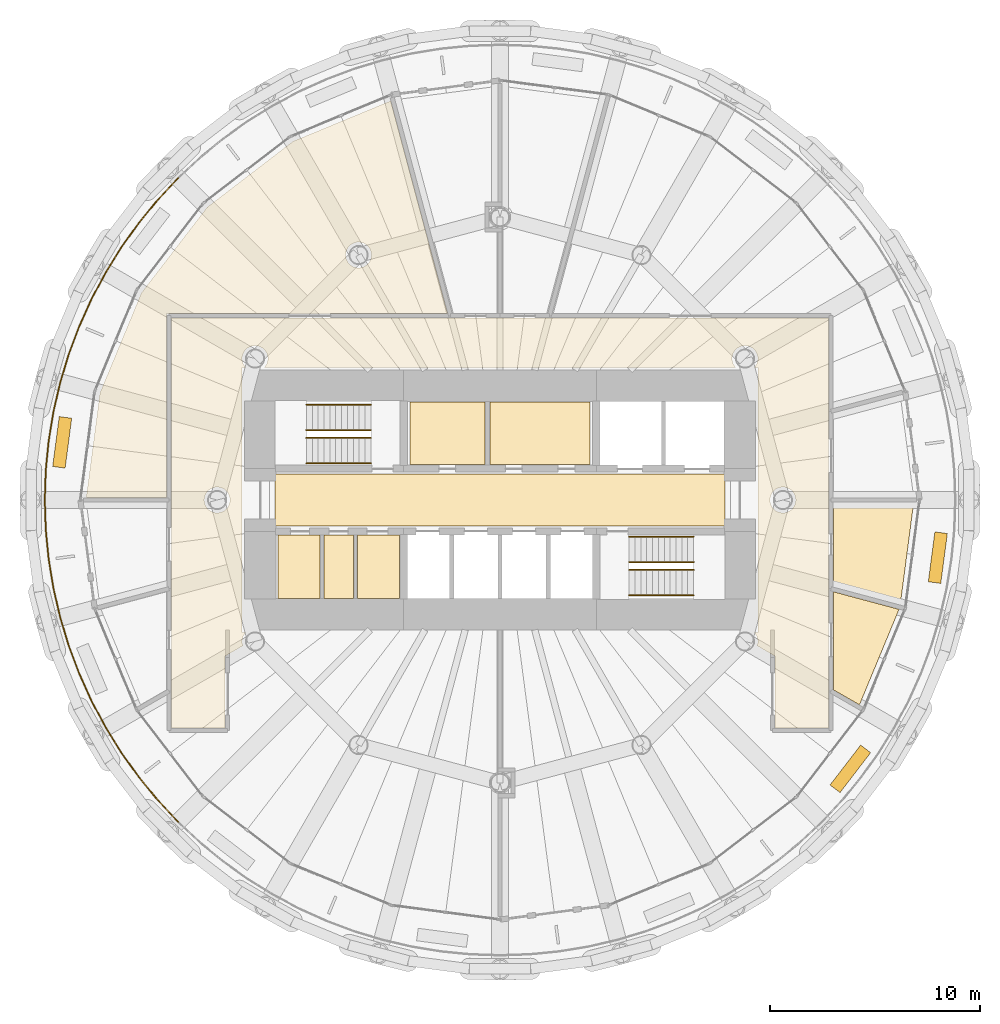
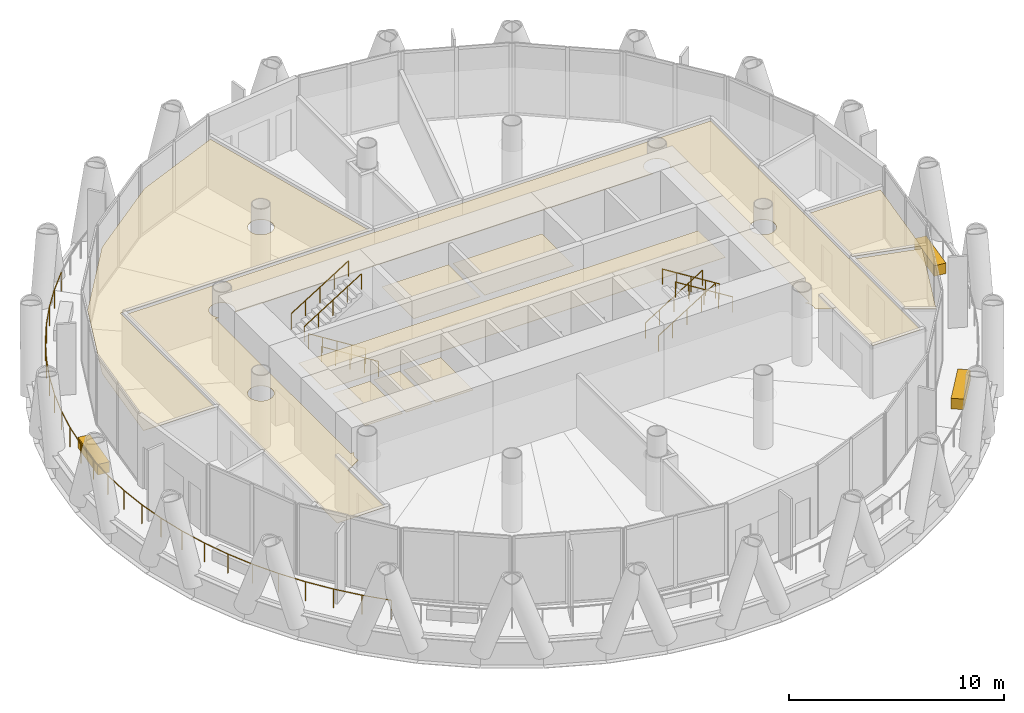
# One storey, part 13 of 14: 13 coverings, 9 railings.
"""IFC4 building model written with IfcOpenShell, lengths in metres."""

from ifc_helpers import new_model, si_unit, direction, frame, origin, origin_2d, place, context, subcontext, project, spatial, polyline, rectangle, circle, outline, extrude, material, layer, layer_set, type_object, element, save


model = new_model("IFC4")

# Units and contexts
model_context = context("Model", 3, precision=1e-05, world=origin(), true_north=direction((0.0, 1.0)))
body_context = subcontext(model_context, "Body", "Model", "MODEL_VIEW")
ifc_project = project(units=[si_unit("LENGTHUNIT", "METRE"), si_unit("AREAUNIT", "SQUARE_METRE"), si_unit("VOLUMEUNIT", "CUBIC_METRE"), si_unit("PLANEANGLEUNIT", "RADIAN"), si_unit("MASSUNIT", "GRAM", prefix="KILO")], contexts=[model_context])

# Site, building, storey
site_placement = place(None, origin())
site = spatial("IfcSite", under=ifc_project, at=site_placement, CompositionType="ELEMENT")
building_placement = place(site_placement, origin())
building = spatial("IfcBuilding", under=site, at=building_placement, Name="Qaws Media Tower", CompositionType="ELEMENT")
storey_placement = place(building_placement, frame((0.0, 0.0, 240.199951171875)))
storey = spatial("IfcBuildingStorey", under=building, at=storey_placement, Name="L55", CompositionType="ELEMENT", Elevation=240.199951171875)

# Railing
ifc_material_1 = material(Name="Stainless steel and glass guard", Category="steel")
railing_type_1 = type_object("IfcRailingType", Name="Balcony guard 1100", PredefinedType="GUARDRAIL", material=ifc_material_1)
railing_placement = place(storey_placement, frame((44.63818359375, 65.36181640625, 0.0)))
element("IfcRailing", 1, at=railing_placement, inside=storey, type_object=railing_type_1, Name="GR1 balcony guard L55-2", PredefinedType="GUARDRAIL", context=body_context, shape_type="SweptSolid", body=[
    extrude(circle(Radius=0.02392578125, at=origin_2d()), frame((0.0, 0.0, 1.076171875), z_axis=(-0.683632607459, -0.729826320448, 0.0), x_axis=(0.729826320448, -0.683632607459, 0.0)), (0.0, 0.0, 1.0), 1.421630859375),
    extrude(circle(Radius=0.02392578125, at=origin_2d()), frame((-0.971923828125, -1.03759765625, 1.076171875), z_axis=(-0.634406087473, -0.772999945781, 0.0), x_axis=(0.772999945781, -0.634406087473, 0.0)), (0.0, 0.0, 1.0), 1.421630859375),
    extrude(circle(Radius=0.02392578125, at=origin_2d()), frame((-1.873779296875, -2.136474609375, 1.076171875), z_axis=(-0.58252083242, -0.81281577236, 0.0), x_axis=(0.81281577236, -0.58252083242, 0.0)), (0.0, 0.0, 1.0), 1.421630859375),
    extrude(circle(Radius=0.02392578125, at=origin_2d()), frame((-2.701904296875, -3.2919921875, 1.076171875), z_axis=(-0.528068023715, -0.849202073908, 0.0), x_axis=(0.849202073908, -0.528068023715, 0.0)), (0.0, 0.0, 1.0), 1.421630859375),
    extrude(circle(Radius=0.02392578125, at=origin_2d()), frame((-3.45263671875, -4.499267578125, 1.076171875), z_axis=(-0.471363454354, -0.881939053393, 0.0), x_axis=(0.881939053393, -0.471363454354, 0.0)), (0.0, 0.0, 1.0), 1.421875),
    extrude(circle(Radius=0.02392578125, at=origin_2d()), frame((-4.122802734375, -5.753173828125, 1.076171875), z_axis=(-0.412676946479, -0.9108774549, 0.0), x_axis=(0.9108774549, -0.412676946479, 0.0)), (0.0, 0.0, 1.0), 1.421630859375),
    extrude(circle(Radius=0.02392578125, at=origin_2d()), frame((-4.70947265625, -7.048095703125, 1.076171875), z_axis=(-0.352214736284, -0.935919216356, 0.0), x_axis=(0.935919216356, -0.352214736284, 0.0)), (0.0, 0.0, 1.0), 1.421630859375),
    extrude(circle(Radius=0.02392578125, at=origin_2d()), frame((-5.210205078125, -8.378662109375, 1.076171875), z_axis=(-0.290245717658, -0.956952153131, 0.0), x_axis=(0.956952153131, -0.290245717658, 0.0)), (0.0, 0.0, 1.0), 1.421630859375),
    extrude(circle(Radius=0.02392578125, at=origin_2d()), frame((-5.622802734375, -9.739013671875, 1.076171875), z_axis=(-0.227191615264, -0.973850075707, 0.0), x_axis=(0.973850075707, -0.227191615264, 0.0)), (0.0, 0.0, 1.0), 1.421630859375),
    extrude(circle(Radius=0.02392578125, at=origin_2d()), frame((-5.94580078125, -11.12353515625, 1.076171875), z_axis=(-0.162811322241, -0.98665722181, 0.0), x_axis=(0.98665722181, -0.162811322241, 0.0)), (0.0, 0.0, 1.0), 1.421630859375),
    extrude(circle(Radius=0.02392578125, at=origin_2d()), frame((-6.17724609375, -12.526123046875, 1.076171875), z_axis=(-0.098058353865, -0.995180666632, 0.0), x_axis=(0.995180666632, -0.098058353865, 0.0)), (0.0, 0.0, 1.0), 1.421630859375),
    extrude(circle(Radius=0.02392578125, at=origin_2d()), frame((-6.316650390625, -13.94091796875, 1.076171875), z_axis=(-0.03280021105, -0.999461928317, 0.0), x_axis=(0.999461928317, -0.03280021105, 0.0)), (0.0, 0.0, 1.0), 1.421630859375),
    extrude(circle(Radius=0.02392578125, at=origin_2d()), frame((-6.36328125, -15.36181640625, 1.076171875), z_axis=(0.03280021105, -0.999461928317, 0.0), x_axis=(0.999461928317, 0.03280021105, 0.0)), (0.0, 0.0, 1.0), 1.421630859375),
    extrude(circle(Radius=0.02392578125, at=origin_2d()), frame((-6.316650390625, -16.78271484375, 1.076171875), z_axis=(0.098058353865, -0.995180666632, 0.0), x_axis=(0.995180666632, 0.098058353865, 0.0)), (0.0, 0.0, 1.0), 1.421630859375),
    extrude(circle(Radius=0.02392578125, at=origin_2d()), frame((-6.17724609375, -18.197509765625, 1.076171875), z_axis=(0.162811322241, -0.98665722181, 0.0), x_axis=(0.98665722181, 0.162811322241, 0.0)), (0.0, 0.0, 1.0), 1.421630859375),
    extrude(circle(Radius=0.02392578125, at=origin_2d()), frame((-5.94580078125, -19.60009765625, 1.076171875), z_axis=(0.227191615264, -0.973850075707, 0.0), x_axis=(0.973850075707, 0.227191615264, 0.0)), (0.0, 0.0, 1.0), 1.421630859375),
    extrude(circle(Radius=0.02392578125, at=origin_2d()), frame((-5.622802734375, -20.984619140625, 1.076171875), z_axis=(0.290245717658, -0.956952153131, 0.0), x_axis=(0.956952153131, 0.290245717658, 0.0)), (0.0, 0.0, 1.0), 1.421630859375),
    extrude(circle(Radius=0.02392578125, at=origin_2d()), frame((-5.210205078125, -22.344970703125, 1.076171875), z_axis=(0.352214736284, -0.935919216356, 0.0), x_axis=(0.935919216356, 0.352214736284, 0.0)), (0.0, 0.0, 1.0), 1.421630859375),
    extrude(circle(Radius=0.02392578125, at=origin_2d()), frame((-4.70947265625, -23.675537109375, 1.076171875), z_axis=(0.412676946479, -0.9108774549, 0.0), x_axis=(0.9108774549, 0.412676946479, 0.0)), (0.0, 0.0, 1.0), 1.421630859375),
    extrude(circle(Radius=0.02392578125, at=origin_2d()), frame((-4.122802734375, -24.970458984375, 1.076171875), z_axis=(0.471363454354, -0.881939053393, 0.0), x_axis=(0.881939053393, 0.471363454354, 0.0)), (0.0, 0.0, 1.0), 1.421875),
    extrude(circle(Radius=0.02392578125, at=origin_2d()), frame((-3.45263671875, -26.224365234375, 1.076171875), z_axis=(0.528068023715, -0.849202073908, 0.0), x_axis=(0.849202073908, 0.528068023715, 0.0)), (0.0, 0.0, 1.0), 1.421630859375),
    extrude(circle(Radius=0.02392578125, at=origin_2d()), frame((-2.701904296875, -27.431640625, 1.076171875), z_axis=(0.58252083242, -0.81281577236, 0.0), x_axis=(0.81281577236, 0.58252083242, 0.0)), (0.0, 0.0, 1.0), 1.421630859375),
    extrude(circle(Radius=0.02392578125, at=origin_2d()), frame((-1.873779296875, -28.587158203125, 1.076171875), z_axis=(0.634406087473, -0.772999945781, 0.0), x_axis=(0.772999945781, 0.634406087473, 0.0)), (0.0, 0.0, 1.0), 1.421630859375),
    extrude(circle(Radius=0.02392578125, at=origin_2d()), frame((-0.971923828125, -29.68603515625, 1.076171875), z_axis=(0.683632607459, -0.729826320448, 0.0), x_axis=(0.729826320448, 0.683632607459, 0.0)), (0.0, 0.0, 1.0), 1.421630859375),
    extrude(circle(Radius=0.02099609375, at=origin_2d()), origin(), (0.0, 0.0, 1.0), 1.052001953125),
    extrude(circle(Radius=0.02099609375, at=origin_2d()), frame((-0.971923828125, -1.03759765625, 0.0)), (0.0, 0.0, 1.0), 1.052001953125),
    extrude(circle(Radius=0.02099609375, at=origin_2d()), frame((-1.873779296875, -2.136474609375, 0.0)), (0.0, 0.0, 1.0), 1.052001953125),
    extrude(circle(Radius=0.02099609375, at=origin_2d()), frame((-2.701904296875, -3.2919921875, 0.0)), (0.0, 0.0, 1.0), 1.052001953125),
    extrude(circle(Radius=0.02099609375, at=origin_2d()), frame((-3.45263671875, -4.499267578125, 0.0)), (0.0, 0.0, 1.0), 1.052001953125),
    extrude(circle(Radius=0.02099609375, at=origin_2d()), frame((-4.122802734375, -5.753173828125, 0.0)), (0.0, 0.0, 1.0), 1.052001953125),
    extrude(circle(Radius=0.02099609375, at=origin_2d()), frame((-4.70947265625, -7.048095703125, 0.0)), (0.0, 0.0, 1.0), 1.052001953125),
    extrude(circle(Radius=0.02099609375, at=origin_2d()), frame((-5.210205078125, -8.378662109375, 0.0)), (0.0, 0.0, 1.0), 1.052001953125),
    extrude(circle(Radius=0.02099609375, at=origin_2d()), frame((-5.622802734375, -9.739013671875, 0.0)), (0.0, 0.0, 1.0), 1.052001953125),
    extrude(circle(Radius=0.02099609375, at=origin_2d()), frame((-5.94580078125, -11.12353515625, 0.0)), (0.0, 0.0, 1.0), 1.052001953125),
    extrude(circle(Radius=0.02099609375, at=origin_2d()), frame((-6.17724609375, -12.526123046875, 0.0)), (0.0, 0.0, 1.0), 1.052001953125),
    extrude(circle(Radius=0.02099609375, at=origin_2d()), frame((-6.316650390625, -13.94091796875, 0.0)), (0.0, 0.0, 1.0), 1.052001953125),
    extrude(circle(Radius=0.02099609375, at=origin_2d()), frame((-6.36328125, -15.36181640625, 0.0)), (0.0, 0.0, 1.0), 1.052001953125),
    extrude(circle(Radius=0.02099609375, at=origin_2d()), frame((-6.316650390625, -16.78271484375, 0.0)), (0.0, 0.0, 1.0), 1.052001953125),
    extrude(circle(Radius=0.02099609375, at=origin_2d()), frame((-6.17724609375, -18.197509765625, 0.0)), (0.0, 0.0, 1.0), 1.052001953125),
    extrude(circle(Radius=0.02099609375, at=origin_2d()), frame((-5.94580078125, -19.60009765625, 0.0)), (0.0, 0.0, 1.0), 1.052001953125),
    extrude(circle(Radius=0.02099609375, at=origin_2d()), frame((-5.622802734375, -20.984619140625, 0.0)), (0.0, 0.0, 1.0), 1.052001953125),
    extrude(circle(Radius=0.02099609375, at=origin_2d()), frame((-5.210205078125, -22.344970703125, 0.0)), (0.0, 0.0, 1.0), 1.052001953125),
    extrude(circle(Radius=0.02099609375, at=origin_2d()), frame((-4.70947265625, -23.675537109375, 0.0)), (0.0, 0.0, 1.0), 1.052001953125),
    extrude(circle(Radius=0.02099609375, at=origin_2d()), frame((-4.122802734375, -24.970458984375, 0.0)), (0.0, 0.0, 1.0), 1.052001953125),
    extrude(circle(Radius=0.02099609375, at=origin_2d()), frame((-3.45263671875, -26.224365234375, 0.0)), (0.0, 0.0, 1.0), 1.052001953125),
    extrude(circle(Radius=0.02099609375, at=origin_2d()), frame((-2.701904296875, -27.431640625, 0.0)), (0.0, 0.0, 1.0), 1.052001953125),
    extrude(circle(Radius=0.02099609375, at=origin_2d()), frame((-1.873779296875, -28.587158203125, 0.0)), (0.0, 0.0, 1.0), 1.052001953125),
    extrude(circle(Radius=0.02099609375, at=origin_2d()), frame((-0.971923828125, -29.68603515625, 0.0)), (0.0, 0.0, 1.0), 1.052001953125),
    extrude(circle(Radius=0.02099609375, at=origin_2d()), frame((0.0, -30.7236328125, 0.0)), (0.0, 0.0, 1.0), 1.052001953125),
])

# Coverings
ifc_material_2 = material(Name="600 x 600 mineral fibre tiles in exposed grid, suspended", Category="mineral fibre")
ifc_layer_1 = layer(ifc_material_2, 0.02001953125)
ifc_layer_set_1 = layer_set([ifc_layer_1], Name="Mineral fibre tile ceiling 20")
covering_type_1 = type_object("IfcCoveringType", Name="Mineral fibre tile ceiling 20", PredefinedType="CEILING", material=ifc_layer_set_1)
covering_1_placement = place(storey_placement, frame((0.0, 0.0, 2.85009765625)))
element("IfcCovering", 2, at=covering_1_placement, inside=storey, type_object=covering_type_1, Name="CL1 ceiling L55-C07 Gents toilets", PredefinedType="CEILING", context=body_context, shape_type="SweptSolid", body=[
    extrude(outline(polyline([(55.695068359375, 51.695068359375), (55.695068359375, 54.679931640625), (59.276611328125, 54.679931640625), (59.276611328125, 51.695068359375), (55.695068359375, 51.695068359375)])), origin(), (0.0, 0.0, 1.0), 0.02001953125),
])
covering_2_placement = place(storey_placement, frame((0.0, 0.0, 2.85009765625)))
element("IfcCovering", 3, at=covering_2_placement, inside=storey, type_object=covering_type_1, Name="CL1 ceiling L55-C08 Ladies toilets", PredefinedType="CEILING", context=body_context, shape_type="SweptSolid", body=[
    extrude(outline(polyline([(59.5166015625, 51.695068359375), (59.5166015625, 54.679931640625), (64.304931640625, 54.679931640625), (64.304931640625, 51.695068359375), (59.5166015625, 51.695068359375)])), origin(), (0.0, 0.0, 1.0), 0.02001953125),
])
covering_3_placement = place(storey_placement, frame((0.0, 0.0, 2.85009765625)))
element("IfcCovering", 4, at=covering_3_placement, inside=storey, type_object=covering_type_1, Name="CL1 ceiling L55-01 Corridor", PredefinedType="CEILING", context=body_context, shape_type="SweptSolid", body=[
    extrude(outline(polyline([(44.3125, 39.112548828125), (44.3125, 58.6875), (75.6875, 58.6875), (75.6875, 39.112548828125), (73.112548828125, 39.112548828125), (73.112548828125, 42.559326171875), (72.27197265625, 43.044921875), (72.287353515625, 43.09033203125), (72.302978515625, 43.16943359375), (72.308349609375, 43.25), (72.302978515625, 43.33056640625), (72.287353515625, 43.40966796875), (72.261474609375, 43.486083984375), (72.2255859375, 43.55859375), (72.180908203125, 43.62548828125), (72.126220703125, 43.6875), (72.3125, 43.6875), (72.3125, 56.3125), (72.126220703125, 56.3125), (72.180908203125, 56.37451171875), (72.2255859375, 56.44140625), (72.261474609375, 56.513916015625), (72.287353515625, 56.59033203125), (72.302978515625, 56.66943359375), (72.308349609375, 56.75), (72.302978515625, 56.83056640625), (72.287353515625, 56.90966796875), (72.261474609375, 56.986083984375), (72.2255859375, 57.05859375), (72.180908203125, 57.12548828125), (72.127685546875, 57.186279296875), (72.06689453125, 57.239501953125), (71.999755859375, 57.2841796875), (71.927490234375, 57.320068359375), (71.85107421875, 57.345947265625), (71.77197265625, 57.36181640625), (71.69140625, 57.366943359375), (71.61083984375, 57.36181640625), (71.53173828125, 57.345947265625), (71.455078125, 57.320068359375), (71.3828125, 57.2841796875), (71.315673828125, 57.239501953125), (71.255126953125, 57.186279296875), (71.201904296875, 57.12548828125), (71.156982421875, 57.05859375), (71.121337890625, 56.986083984375), (71.095458984375, 56.90966796875), (71.07958984375, 56.83056640625), (71.07421875, 56.75), (71.07958984375, 56.66943359375), (71.095458984375, 56.59033203125), (71.121337890625, 56.513916015625), (71.156982421875, 56.44140625), (71.201904296875, 56.37451171875), (71.25634765625, 56.3125), (48.74365234375, 56.3125), (48.798095703125, 56.37451171875), (48.843017578125, 56.44140625), (48.878662109375, 56.513916015625), (48.904541015625, 56.59033203125), (48.92041015625, 56.66943359375), (48.92578125, 56.75), (48.92041015625, 56.83056640625), (48.904541015625, 56.90966796875), (48.878662109375, 56.986083984375), (48.843017578125, 57.05859375), (48.798095703125, 57.12548828125), (48.744873046875, 57.186279296875), (48.684326171875, 57.239501953125), (48.6171875, 57.2841796875), (48.544921875, 57.320068359375), (48.46826171875, 57.345947265625), (48.38916015625, 57.36181640625), (48.30859375, 57.366943359375), (48.22802734375, 57.36181640625), (48.14892578125, 57.345947265625), (48.072509765625, 57.320068359375), (48.000244140625, 57.2841796875), (47.93310546875, 57.239501953125), (47.872314453125, 57.186279296875), (47.819091796875, 57.12548828125), (47.7744140625, 57.05859375), (47.738525390625, 56.986083984375), (47.712646484375, 56.90966796875), (47.697021484375, 56.83056640625), (47.691650390625, 56.75), (47.697021484375, 56.66943359375), (47.712646484375, 56.59033203125), (47.738525390625, 56.513916015625), (47.7744140625, 56.44140625), (47.819091796875, 56.37451171875), (47.873779296875, 56.3125), (47.6875, 56.3125), (47.6875, 43.6875), (47.873779296875, 43.6875), (47.819091796875, 43.62548828125), (47.7744140625, 43.55859375), (47.738525390625, 43.486083984375), (47.712646484375, 43.40966796875), (47.697021484375, 43.33056640625), (47.691650390625, 43.25), (47.697021484375, 43.16943359375), (47.712646484375, 43.09033203125), (47.72802734375, 43.044921875), (46.887451171875, 42.559326171875), (46.887451171875, 39.112548828125), (44.3125, 39.112548828125)]), holes=[polyline([(47.070068359375, 49.763916015625), (47.095947265625, 49.84033203125), (47.11181640625, 49.91943359375), (47.116943359375, 50.0), (47.11181640625, 50.08056640625), (47.095947265625, 50.15966796875), (47.070068359375, 50.236083984375), (47.0341796875, 50.30859375), (46.989501953125, 50.37548828125), (46.936279296875, 50.436279296875), (46.87548828125, 50.489501953125), (46.80859375, 50.5341796875), (46.736083984375, 50.570068359375), (46.65966796875, 50.595947265625), (46.58056640625, 50.61181640625), (46.5, 50.616943359375), (46.41943359375, 50.61181640625), (46.34033203125, 50.595947265625), (46.263916015625, 50.570068359375), (46.19140625, 50.5341796875), (46.12451171875, 50.489501953125), (46.063720703125, 50.436279296875), (46.010498046875, 50.37548828125), (45.9658203125, 50.30859375), (45.929931640625, 50.236083984375), (45.904052734375, 50.15966796875), (45.88818359375, 50.08056640625), (45.883056640625, 50.0), (45.88818359375, 49.91943359375), (45.904052734375, 49.84033203125), (45.929931640625, 49.763916015625), (45.9658203125, 49.69140625), (46.010498046875, 49.62451171875), (46.063720703125, 49.563720703125), (46.12451171875, 49.510498046875), (46.19140625, 49.4658203125), (46.263916015625, 49.429931640625), (46.34033203125, 49.404052734375), (46.41943359375, 49.38818359375), (46.5, 49.383056640625), (46.58056640625, 49.38818359375), (46.65966796875, 49.404052734375), (46.736083984375, 49.429931640625), (46.80859375, 49.4658203125), (46.87548828125, 49.510498046875), (46.936279296875, 49.563720703125), (46.989501953125, 49.62451171875), (47.0341796875, 49.69140625), (47.070068359375, 49.763916015625)]), polyline([(74.095947265625, 49.84033203125), (74.11181640625, 49.91943359375), (74.116943359375, 50.0), (74.11181640625, 50.08056640625), (74.095947265625, 50.15966796875), (74.070068359375, 50.236083984375), (74.0341796875, 50.30859375), (73.989501953125, 50.37548828125), (73.936279296875, 50.436279296875), (73.87548828125, 50.489501953125), (73.80859375, 50.5341796875), (73.736083984375, 50.570068359375), (73.65966796875, 50.595947265625), (73.58056640625, 50.61181640625), (73.5, 50.616943359375), (73.41943359375, 50.61181640625), (73.34033203125, 50.595947265625), (73.263916015625, 50.570068359375), (73.19140625, 50.5341796875), (73.12451171875, 50.489501953125), (73.063720703125, 50.436279296875), (73.010498046875, 50.37548828125), (72.9658203125, 50.30859375), (72.929931640625, 50.236083984375), (72.904052734375, 50.15966796875), (72.88818359375, 50.08056640625), (72.883056640625, 50.0), (72.88818359375, 49.91943359375), (72.904052734375, 49.84033203125), (72.929931640625, 49.763916015625), (72.9658203125, 49.69140625), (73.010498046875, 49.62451171875), (73.063720703125, 49.563720703125), (73.12451171875, 49.510498046875), (73.19140625, 49.4658203125), (73.263916015625, 49.429931640625), (73.34033203125, 49.404052734375), (73.41943359375, 49.38818359375), (73.5, 49.383056640625), (73.58056640625, 49.38818359375), (73.65966796875, 49.404052734375), (73.736083984375, 49.429931640625), (73.80859375, 49.4658203125), (73.87548828125, 49.510498046875), (73.936279296875, 49.563720703125), (73.989501953125, 49.62451171875), (74.0341796875, 49.69140625), (74.070068359375, 49.763916015625), (74.095947265625, 49.84033203125)])]), origin(), (0.0, 0.0, 1.0), 0.02001953125),
])
covering_4_placement = place(storey_placement, frame((0.0, 0.0, 2.85009765625)))
element("IfcCovering", 5, at=covering_4_placement, inside=storey, type_object=covering_type_1, Name="CL1 ceiling L55-06 Tenant office", PredefinedType="CEILING", context=body_context, shape_type="SweptSolid", body=[
    extrude(outline(polyline([(40.9130859375, 55.1142578125), (42.88720703125, 59.880126953125), (46.02734375, 63.97265625), (50.119873046875, 67.11279296875), (54.78076171875, 69.04345703125), (57.495361328125, 58.91259765625), (44.08740234375, 58.91259765625), (44.08740234375, 50.112548828125), (40.254638671875, 50.112548828125), (40.9130859375, 55.1142578125)]), holes=[polyline([(53.820068359375, 61.455078125), (53.845947265625, 61.53173828125), (53.86181640625, 61.61083984375), (53.866943359375, 61.69140625), (53.86181640625, 61.77197265625), (53.845947265625, 61.85107421875), (53.820068359375, 61.927490234375), (53.7841796875, 61.999755859375), (53.739501953125, 62.06689453125), (53.686279296875, 62.127685546875), (53.62548828125, 62.180908203125), (53.55859375, 62.2255859375), (53.486083984375, 62.261474609375), (53.40966796875, 62.287353515625), (53.33056640625, 62.302978515625), (53.25, 62.308349609375), (53.16943359375, 62.302978515625), (53.09033203125, 62.287353515625), (53.013916015625, 62.261474609375), (52.94140625, 62.2255859375), (52.87451171875, 62.180908203125), (52.813720703125, 62.127685546875), (52.760498046875, 62.06689453125), (52.7158203125, 61.999755859375), (52.679931640625, 61.927490234375), (52.654052734375, 61.85107421875), (52.63818359375, 61.77197265625), (52.633056640625, 61.69140625), (52.63818359375, 61.61083984375), (52.654052734375, 61.53173828125), (52.679931640625, 61.455078125), (52.7158203125, 61.3828125), (52.760498046875, 61.315673828125), (52.813720703125, 61.255126953125), (52.87451171875, 61.201904296875), (52.94140625, 61.156982421875), (53.013916015625, 61.121337890625), (53.09033203125, 61.095458984375), (53.16943359375, 61.07958984375), (53.25, 61.07421875), (53.33056640625, 61.07958984375), (53.40966796875, 61.095458984375), (53.486083984375, 61.121337890625), (53.55859375, 61.156982421875), (53.62548828125, 61.201904296875), (53.686279296875, 61.255126953125), (53.739501953125, 61.315673828125), (53.7841796875, 61.3828125), (53.820068359375, 61.455078125)])]), origin(), (0.0, 0.0, 1.0), 0.02001953125),
])
covering_5_placement = place(storey_placement, frame((0.0, 0.0, 2.85009765625)))
element("IfcCovering", 6, at=covering_5_placement, inside=storey, type_object=covering_type_1, Name="CL1 ceiling L55-C04 Shower room", PredefinedType="CEILING", context=body_context, shape_type="SweptSolid", body=[
    extrude(outline(polyline([(49.39990234375, 45.300048828125), (49.39990234375, 48.324951171875), (51.39990234375, 48.324951171875), (51.39990234375, 45.300048828125), (49.39990234375, 45.300048828125)])), origin(), (0.0, 0.0, 1.0), 0.02001953125),
])
covering_6_placement = place(storey_placement, frame((0.0, 0.0, 2.85009765625)))
element("IfcCovering", 7, at=covering_6_placement, inside=storey, type_object=covering_type_1, Name="CL1 ceiling L55-C05 First aid room", PredefinedType="CEILING", context=body_context, shape_type="SweptSolid", body=[
    extrude(outline(polyline([(51.60009765625, 45.300048828125), (51.60009765625, 48.324951171875), (53.0, 48.324951171875), (53.0, 45.300048828125), (51.60009765625, 45.300048828125)])), origin(), (0.0, 0.0, 1.0), 0.02001953125),
])
ifc_material_3 = material(Name="Precast concrete planter with trailing planting", Category="concrete")
ifc_layer_2 = layer(ifc_material_3, 0.60009765625)
ifc_layer_set_2 = layer_set([ifc_layer_2], Name="Planter 2400x600")
covering_type_2 = type_object("IfcCoveringType", Name="Planter 2400x600", PredefinedType="USERDEFINED", material=ifc_layer_set_2)
for number, where, z_axis, x_axis, name in (
    (8, (39.105224609375, 52.750732421875, 0.0), (0.0, 0.0, 1.0), (-0.13052619222, -0.991444861374, 0.0), "PL1 balcony planter L55-06"),
    (9, (76.719970703125, 37.17041015625, 0.0), (0.0, 0.0, 1.0), (0.608761429009, 0.793353340291, 0.0), "PL1 balcony planter L55-11"),
    (10, (80.894775390625, 47.249267578125, 0.0), (0.0, 0.0, 1.0), (0.13052619222, 0.991444861374, 0.0), "PL1 balcony planter L55-12"),
):
    element("IfcCovering", number, at=place(storey_placement, frame(where, z_axis=z_axis, x_axis=x_axis)), inside=storey, type_object=covering_type_2, Name=name, ObjectType="PLANTER", PredefinedType="USERDEFINED", context=body_context, shape_type="SweptSolid", body=[
        extrude(rectangle(XDim=2.39990234375, YDim=0.60009765625, at=origin_2d()), origin(), (0.0, 0.0, 1.0), 0.60009765625),
    ])
ifc_material_4 = material(Name="Two layers 12.5 moisture-resistant plasterboard on suspended metal furring", Category="gypsum")
ifc_layer_3 = layer(ifc_material_4, 0.02490234375)
ifc_layer_set_3 = layer_set([ifc_layer_3], Name="Plasterboard ceiling 25")
covering_type_3 = type_object("IfcCoveringType", Name="Plasterboard ceiling 25", PredefinedType="CEILING", material=ifc_layer_set_3)
covering_7_placement = place(storey_placement, frame((0.0, 0.0, 2.85009765625)))
element("IfcCovering", 11, at=covering_7_placement, inside=storey, type_object=covering_type_3, Name="CL2 ceiling L55-C01 Lift lobby", PredefinedType="CEILING", context=body_context, shape_type="SweptSolid", body=[
    extrude(outline(polyline([(49.25, 48.75), (49.25, 51.25), (70.75, 51.25), (70.75, 48.75), (49.25, 48.75)])), origin(), (0.0, 0.0, 1.0), 0.02490234375),
])
covering_8_placement = place(storey_placement, frame((0.0, 0.0, 2.85009765625)))
element("IfcCovering", 12, at=covering_8_placement, inside=storey, type_object=covering_type_3, Name="CL2 ceiling L55-11 Tenant reception", PredefinedType="CEILING", context=body_context, shape_type="SweptSolid", body=[
    extrude(outline(polyline([(77.15625, 40.224609375), (75.91259765625, 40.94287109375), (75.91259765625, 45.619873046875), (79.04345703125, 44.78076171875), (77.15625, 40.224609375)])), origin(), (0.0, 0.0, 1.0), 0.02490234375),
])
covering_9_placement = place(storey_placement, frame((0.0, 0.0, 2.85009765625)))
element("IfcCovering", 13, at=covering_9_placement, inside=storey, type_object=covering_type_3, Name="CL2 ceiling L55-12 Tenant pantry", PredefinedType="CEILING", context=body_context, shape_type="SweptSolid", body=[
    extrude(outline(polyline([(79.101806640625, 44.998291015625), (75.91259765625, 45.852783203125), (75.91259765625, 49.887451171875), (79.745361328125, 49.887451171875), (79.101806640625, 44.998291015625)])), origin(), (0.0, 0.0, 1.0), 0.02490234375),
])
covering_10_placement = place(storey_placement, frame((0.0, 0.0, 2.85009765625)))
element("IfcCovering", 14, at=covering_10_placement, inside=storey, type_object=covering_type_3, Name="CL2 ceiling L55-C06 Accessible WC", PredefinedType="CEILING", context=body_context, shape_type="SweptSolid", body=[
    extrude(outline(polyline([(53.199951171875, 45.300048828125), (53.199951171875, 48.324951171875), (55.199951171875, 48.324951171875), (55.199951171875, 45.300048828125), (53.199951171875, 45.300048828125)])), origin(), (0.0, 0.0, 1.0), 0.02490234375),
])

# Railings
ifc_material_5 = material(Name="Steel tube handrail", Category="steel")
railing_type_2 = type_object("IfcRailingType", Name="Stair handrail 900", PredefinedType="HANDRAIL", material=ifc_material_5)
for number, where, name in (
    (15, (53.840087890625, 51.75, 0.175048828125), "HR1 handrail S1 flight 1 L55"),
    (16, (53.840087890625, 52.9599609375, 0.175048828125), "HR1 handrail S1 flight 1 L55"),
):
    element("IfcRailing", number, at=place(storey_placement, frame(where)), inside=storey, type_object=railing_type_2, Name=name, PredefinedType="HANDRAIL", context=body_context, shape_type="SweptSolid", body=[
        extrude(circle(Radius=0.02392578125, at=origin_2d()), frame((0.0, 0.0, 0.8759765625), z_axis=(-0.847998304005, 0.0, 0.529998940003), x_axis=(0.0, -1.0, 0.0)), (0.0, 0.0, 1.0), 3.632080078125),
        extrude(circle(Radius=0.02099609375, at=origin_2d()), origin(), (0.0, 0.0, 1.0), 0.851806640625),
        extrude(circle(Radius=0.02099609375, at=origin_2d()), frame((-0.77001953125, 0.0, 0.481201171875)), (0.0, 0.0, 1.0), 0.851806640625),
        extrude(circle(Radius=0.02099609375, at=origin_2d()), frame((-1.5400390625, 0.0, 0.96240234375)), (0.0, 0.0, 1.0), 0.851806640625),
        extrude(circle(Radius=0.02099609375, at=origin_2d()), frame((-2.31005859375, 0.0, 1.44384765625)), (0.0, 0.0, 1.0), 0.851806640625),
        extrude(circle(Radius=0.02099609375, at=origin_2d()), frame((-3.080078125, 0.0, 1.925048828125)), (0.0, 0.0, 1.0), 0.851806640625),
    ])
for number, where, name in (
    (17, (50.760009765625, 54.550048828125, 2.275146484375), "HR1 handrail S1 flight 2 L55"),
    (18, (50.760009765625, 53.340087890625, 2.275146484375), "HR1 handrail S1 flight 2 L55"),
):
    element("IfcRailing", number, at=place(storey_placement, frame(where)), inside=storey, type_object=railing_type_2, Name=name, PredefinedType="HANDRAIL", context=body_context, shape_type="SweptSolid", body=[
        extrude(circle(Radius=0.02392578125, at=origin_2d()), frame((0.0, 0.0, 0.8759765625), z_axis=(0.848028513186, 0.0, 0.529950602248), x_axis=(0.0, 1.0, 0.0)), (0.0, 0.0, 1.0), 3.632080078125),
        extrude(circle(Radius=0.02099609375, at=origin_2d()), origin(), (0.0, 0.0, 1.0), 0.851806640625),
        extrude(circle(Radius=0.02099609375, at=origin_2d()), frame((0.77001953125, 0.0, 0.481201171875)), (0.0, 0.0, 1.0), 0.851806640625),
        extrude(circle(Radius=0.02099609375, at=origin_2d()), frame((1.5400390625, 0.0, 0.96240234375)), (0.0, 0.0, 1.0), 0.851806640625),
        extrude(circle(Radius=0.02099609375, at=origin_2d()), frame((2.31005859375, 0.0, 1.443603515625)), (0.0, 0.0, 1.0), 0.851806640625),
        extrude(circle(Radius=0.02099609375, at=origin_2d()), frame((3.080078125, 0.0, 1.9248046875)), (0.0, 0.0, 1.0), 0.851806640625),
    ])
for number, where, name in (
    (19, (66.159912109375, 48.25, 0.175048828125), "HR1 handrail S2 flight 1 L55"),
    (20, (66.159912109375, 47.0400390625, 0.175048828125), "HR1 handrail S2 flight 1 L55"),
):
    element("IfcRailing", number, at=place(storey_placement, frame(where)), inside=storey, type_object=railing_type_2, Name=name, PredefinedType="HANDRAIL", context=body_context, shape_type="SweptSolid", body=[
        extrude(circle(Radius=0.02392578125, at=origin_2d()), frame((0.0, 0.0, 0.8759765625), z_axis=(0.847998304005, 0.0, 0.529998940003), x_axis=(0.0, 1.0, 0.0)), (0.0, 0.0, 1.0), 3.632080078125),
        extrude(circle(Radius=0.02099609375, at=origin_2d()), origin(), (0.0, 0.0, 1.0), 0.851806640625),
        extrude(circle(Radius=0.02099609375, at=origin_2d()), frame((0.77001953125, 0.0, 0.481201171875)), (0.0, 0.0, 1.0), 0.851806640625),
        extrude(circle(Radius=0.02099609375, at=origin_2d()), frame((1.5400390625, 0.0, 0.96240234375)), (0.0, 0.0, 1.0), 0.851806640625),
        extrude(circle(Radius=0.02099609375, at=origin_2d()), frame((2.31005859375, 0.0, 1.44384765625)), (0.0, 0.0, 1.0), 0.851806640625),
        extrude(circle(Radius=0.02099609375, at=origin_2d()), frame((3.080078125, 0.0, 1.925048828125)), (0.0, 0.0, 1.0), 0.851806640625),
    ])
for number, where, name in (
    (21, (69.239990234375, 45.449951171875, 2.275146484375), "HR1 handrail S2 flight 2 L55"),
    (22, (69.239990234375, 46.659912109375, 2.275146484375), "HR1 handrail S2 flight 2 L55"),
):
    element("IfcRailing", number, at=place(storey_placement, frame(where)), inside=storey, type_object=railing_type_2, Name=name, PredefinedType="HANDRAIL", context=body_context, shape_type="SweptSolid", body=[
        extrude(circle(Radius=0.02392578125, at=origin_2d()), frame((0.0, 0.0, 0.8759765625), z_axis=(-0.848028513186, 0.0, 0.529950602248), x_axis=(0.0, -1.0, 0.0)), (0.0, 0.0, 1.0), 3.632080078125),
        extrude(circle(Radius=0.02099609375, at=origin_2d()), origin(), (0.0, 0.0, 1.0), 0.851806640625),
        extrude(circle(Radius=0.02099609375, at=origin_2d()), frame((-0.77001953125, 0.0, 0.481201171875)), (0.0, 0.0, 1.0), 0.851806640625),
        extrude(circle(Radius=0.02099609375, at=origin_2d()), frame((-1.5400390625, 0.0, 0.96240234375)), (0.0, 0.0, 1.0), 0.851806640625),
        extrude(circle(Radius=0.02099609375, at=origin_2d()), frame((-2.31005859375, 0.0, 1.443603515625)), (0.0, 0.0, 1.0), 0.851806640625),
        extrude(circle(Radius=0.02099609375, at=origin_2d()), frame((-3.080078125, 0.0, 1.9248046875)), (0.0, 0.0, 1.0), 0.851806640625),
    ])

save(model, "model.ifc")
